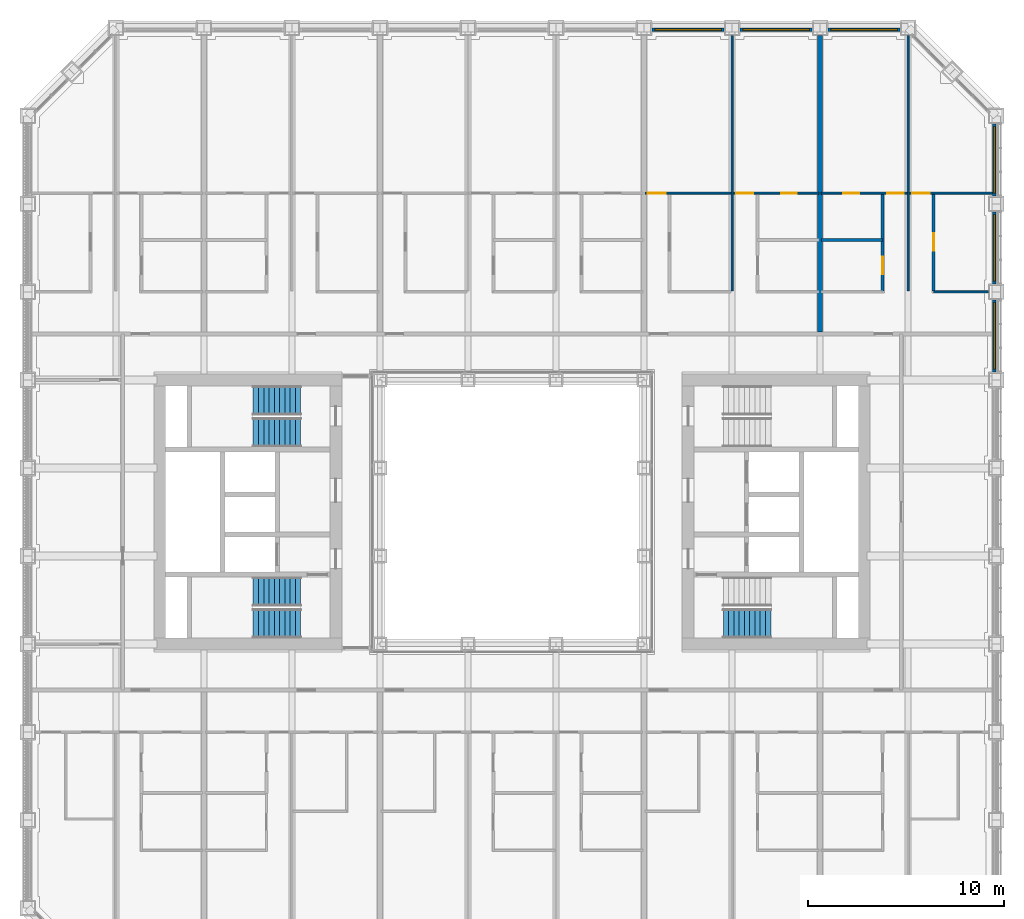
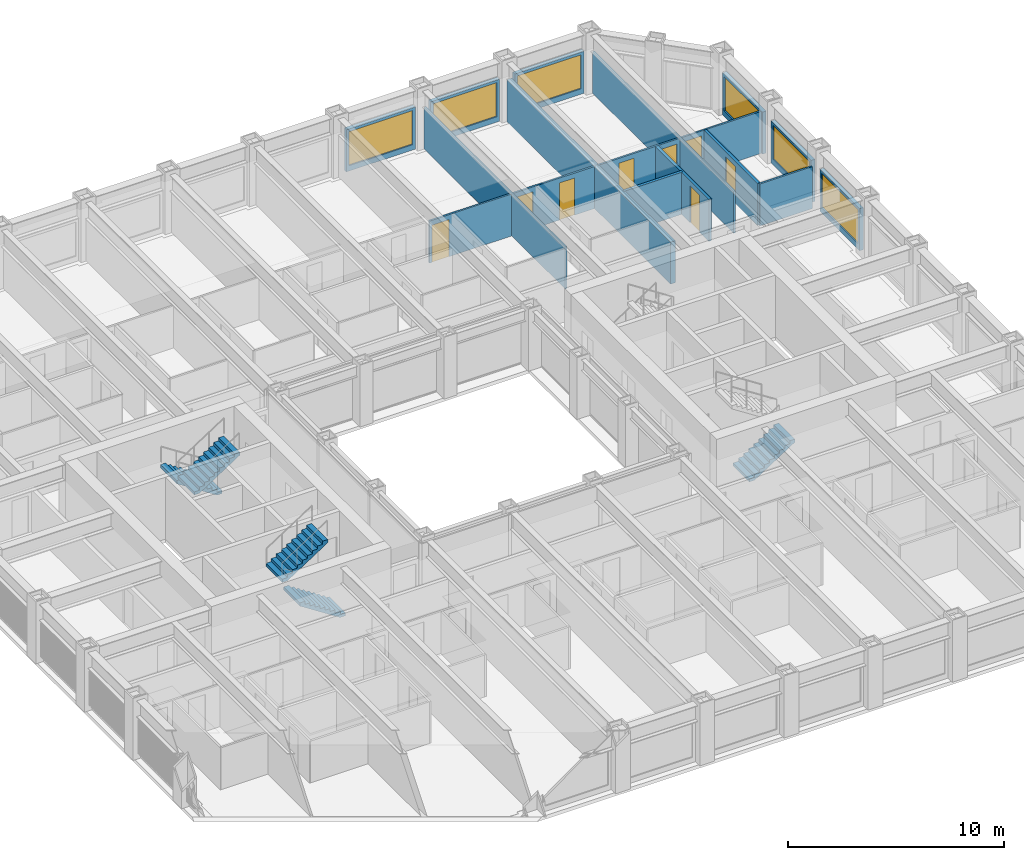
# One storey, part 15 of 21: 17 walls, 8 doors, 6 windows, 5 stair flights, 14 openings, 3 elements without a shape of their own.
"""IFC4 building model written with IfcOpenShell, lengths in metres."""

from ifc_helpers import new_model, si_unit, direction, frame, frame_2d, origin, place, context, subcontext, project, spatial, polyline, rectangle, outline, extrude, material, layer, layer_set, type_object, element, fill, aggregate, save


model = new_model("IFC4")

# Units and contexts
model_context = context("Model", 3, precision=1e-05, world=origin(), true_north=direction((0.0, 1.0)))
body_context = subcontext(model_context, "Body", "Model", "MODEL_VIEW")
ifc_project = project(units=[si_unit("LENGTHUNIT", "METRE"), si_unit("AREAUNIT", "SQUARE_METRE"), si_unit("VOLUMEUNIT", "CUBIC_METRE"), si_unit("PLANEANGLEUNIT", "RADIAN"), si_unit("MASSUNIT", "GRAM", prefix="KILO")], contexts=[model_context])

# Site, building, storey
site_placement = place(None, origin())
site = spatial("IfcSite", under=ifc_project, at=site_placement, CompositionType="ELEMENT")
building_placement = place(site_placement, origin())
building = spatial("IfcBuilding", under=site, at=building_placement, Name="Msasa Ring Tower", CompositionType="ELEMENT")
storey_placement = place(building_placement, frame((0.0, 0.0, 51.0)))
storey = spatial("IfcBuildingStorey", under=building, at=storey_placement, Name="L12", CompositionType="ELEMENT", Elevation=51.0)

# Wall, opening, window
ifc_material_1 = material(Name="Terracotta rainscreen on blockwork", Category="masonry")
ifc_layer_1 = layer(ifc_material_1, 0.199951171875)
ifc_layer_set_1 = layer_set([ifc_layer_1], Name="FW1 TERRACOTTA-LINED INFILL BAY WALL 200")
wall_type_1 = type_object("IfcWallType", Name="FW1 TERRACOTTA-LINED INFILL BAY WALL 200", PredefinedType="SOLIDWALL", material=ifc_layer_set_1)
wall_1_placement = place(storey_placement, frame((24.64990234375, 7.155029296875, 0.0), z_axis=(0.0, 0.0, 1.0), x_axis=(0.0, 1.0, 0.0)))
wall_1 = element("IfcWall", 1, at=wall_1_placement, inside=storey, type_object=wall_type_1, Name="Infill bay wall E L12 17", PredefinedType="SOLIDWALL", context=body_context, shape_type="SweptSolid", body=[
    extrude(rectangle(XDim=3.68994140625, YDim=0.199951171875, at=frame_2d((1.844970703125, 0.0))), origin(), (0.0, 0.0, 1.0), 2.37890625),
])
opening_1_placement = place(wall_1_placement, frame((0.14501953125, 0.0, 0.300048828125)))
opening_1 = element("IfcOpeningElement", 2, at=opening_1_placement, cuts=wall_1, Name="Opening WN1", PredefinedType="OPENING", context=body_context, shape_type="SweptSolid", body=[
    extrude(rectangle(XDim=3.39990234375, YDim=1.928955078125, at=frame_2d((1.699951171875, 0.96435546875))), frame((0.0, 0.10986328125, 0.0), z_axis=(0.0, -1.0, 0.0), x_axis=(1.0, 0.0, 0.0)), (0.0, 0.0, 1.0), 0.219970703125),
])
ifc_material_2 = material(Name="Aluminium frame with clear glass", Category="aluminium")
window_type = type_object("IfcWindowType", Name="WN1 RESIDENCE WINDOW 3400x1929", PartitioningType="SINGLE_PANEL", PredefinedType="WINDOW", material=ifc_material_2)
window_1_placement = place(opening_1_placement, origin())
window_1 = element("IfcWindow", 3, at=window_1_placement, inside=storey, type_object=window_type, Name="Window E L12 17", OverallHeight=1.928955078125, OverallWidth=3.39990234375, PartitioningType="SINGLE_PANEL", PredefinedType="WINDOW", context=body_context, shape_type="SweptSolid", body=[
    extrude(rectangle(XDim=3.39990234375, YDim=1.928955078125, at=frame_2d((1.699951171875, 0.96435546875))), frame((0.0, 0.030029296875, 0.0), z_axis=(0.0, -1.0, 0.0), x_axis=(1.0, 0.0, 0.0)), (0.0, 0.0, 1.0), 0.06005859375),
])
fill(opening_1, window_1)

wall_2_placement = place(storey_placement, frame((24.64990234375, 11.655029296875, 0.0), z_axis=(0.0, 0.0, 1.0), x_axis=(0.0, 1.0, 0.0)))
wall_2 = element("IfcWall", 4, at=wall_2_placement, inside=storey, type_object=wall_type_1, Name="Infill bay wall E L12 18", PredefinedType="SOLIDWALL", context=body_context, shape_type="SweptSolid", body=[
    extrude(rectangle(XDim=3.68994140625, YDim=0.199951171875, at=frame_2d((1.844970703125, 0.0))), origin(), (0.0, 0.0, 1.0), 2.37890625),
])
opening_2_placement = place(wall_2_placement, frame((0.14501953125, 0.0, 0.300048828125)))
opening_2 = element("IfcOpeningElement", 5, at=opening_2_placement, cuts=wall_2, Name="Opening WN1", PredefinedType="OPENING", context=body_context, shape_type="SweptSolid", body=[
    extrude(rectangle(XDim=3.39990234375, YDim=1.928955078125, at=frame_2d((1.699951171875, 0.96435546875))), frame((0.0, 0.10986328125, 0.0), z_axis=(0.0, -1.0, 0.0), x_axis=(1.0, 0.0, 0.0)), (0.0, 0.0, 1.0), 0.219970703125),
])
window_2_placement = place(opening_2_placement, origin())
window_2 = element("IfcWindow", 6, at=window_2_placement, inside=storey, type_object=window_type, Name="Window E L12 18", OverallHeight=1.928955078125, OverallWidth=3.39990234375, PartitioningType="SINGLE_PANEL", PredefinedType="WINDOW", context=body_context, shape_type="SweptSolid", body=[
    extrude(rectangle(XDim=3.39990234375, YDim=1.928955078125, at=frame_2d((1.699951171875, 0.96435546875))), frame((0.0, 0.030029296875, 0.0), z_axis=(0.0, -1.0, 0.0), x_axis=(1.0, 0.0, 0.0)), (0.0, 0.0, 1.0), 0.06005859375),
])
fill(opening_2, window_2)

wall_3_placement = place(storey_placement, frame((24.64990234375, 16.155029296875, 0.0), z_axis=(0.0, 0.0, 1.0), x_axis=(0.0, 1.0, 0.0)))
wall_3 = element("IfcWall", 7, at=wall_3_placement, inside=storey, type_object=wall_type_1, Name="Infill bay wall E L12 19", PredefinedType="SOLIDWALL", context=body_context, shape_type="SweptSolid", body=[
    extrude(rectangle(XDim=3.68994140625, YDim=0.199951171875, at=frame_2d((1.844970703125, 0.0))), origin(), (0.0, 0.0, 1.0), 2.37890625),
])
opening_3_placement = place(wall_3_placement, frame((0.14501953125, 0.0, 0.300048828125)))
opening_3 = element("IfcOpeningElement", 8, at=opening_3_placement, cuts=wall_3, Name="Opening WN1", PredefinedType="OPENING", context=body_context, shape_type="SweptSolid", body=[
    extrude(rectangle(XDim=3.39990234375, YDim=1.928955078125, at=frame_2d((1.699951171875, 0.96435546875))), frame((0.0, 0.10986328125, 0.0), z_axis=(0.0, -1.0, 0.0), x_axis=(1.0, 0.0, 0.0)), (0.0, 0.0, 1.0), 0.219970703125),
])
window_3_placement = place(opening_3_placement, origin())
window_3 = element("IfcWindow", 9, at=window_3_placement, inside=storey, type_object=window_type, Name="Window E L12 19", OverallHeight=1.928955078125, OverallWidth=3.39990234375, PartitioningType="SINGLE_PANEL", PredefinedType="WINDOW", context=body_context, shape_type="SweptSolid", body=[
    extrude(rectangle(XDim=3.39990234375, YDim=1.928955078125, at=frame_2d((1.699951171875, 0.96435546875))), frame((0.0, 0.030029296875, 0.0), z_axis=(0.0, -1.0, 0.0), x_axis=(1.0, 0.0, 0.0)), (0.0, 0.0, 1.0), 0.06005859375),
])
fill(opening_3, window_3)

wall_4_placement = place(storey_placement, frame((7.155029296875, 24.64990234375, 0.0), z_axis=(0.0, 0.0, 1.0), x_axis=(1.0, 0.0, 0.0)))
wall_4 = element("IfcWall", 10, at=wall_4_placement, inside=storey, type_object=wall_type_1, Name="Infill bay wall N L12 28", PredefinedType="SOLIDWALL", context=body_context, shape_type="SweptSolid", body=[
    extrude(rectangle(XDim=3.68994140625, YDim=0.199951171875, at=frame_2d((1.844970703125, 0.0))), origin(), (0.0, 0.0, 1.0), 2.37890625),
])
opening_4_placement = place(wall_4_placement, frame((0.14501953125, 0.0, 0.300048828125)))
opening_4 = element("IfcOpeningElement", 11, at=opening_4_placement, cuts=wall_4, Name="Opening WN1", PredefinedType="OPENING", context=body_context, shape_type="SweptSolid", body=[
    extrude(rectangle(XDim=3.39990234375, YDim=1.928955078125, at=frame_2d((1.699951171875, 0.96435546875))), frame((0.0, 0.10986328125, 0.0), z_axis=(0.0, -1.0, 0.0), x_axis=(1.0, 0.0, 0.0)), (0.0, 0.0, 1.0), 0.219970703125),
])
window_4_placement = place(opening_4_placement, origin())
window_4 = element("IfcWindow", 12, at=window_4_placement, inside=storey, type_object=window_type, Name="Window N L12 28", OverallHeight=1.928955078125, OverallWidth=3.39990234375, PartitioningType="SINGLE_PANEL", PredefinedType="WINDOW", context=body_context, shape_type="SweptSolid", body=[
    extrude(rectangle(XDim=3.39990234375, YDim=1.928955078125, at=frame_2d((1.699951171875, 0.96435546875))), frame((0.0, 0.030029296875, 0.0), z_axis=(0.0, -1.0, 0.0), x_axis=(1.0, 0.0, 0.0)), (0.0, 0.0, 1.0), 0.06005859375),
])
fill(opening_4, window_4)

wall_5_placement = place(storey_placement, frame((11.655029296875, 24.64990234375, 0.0), z_axis=(0.0, 0.0, 1.0), x_axis=(1.0, 0.0, 0.0)))
wall_5 = element("IfcWall", 13, at=wall_5_placement, inside=storey, type_object=wall_type_1, Name="Infill bay wall N L12 29", PredefinedType="SOLIDWALL", context=body_context, shape_type="SweptSolid", body=[
    extrude(rectangle(XDim=3.68994140625, YDim=0.199951171875, at=frame_2d((1.844970703125, 0.0))), origin(), (0.0, 0.0, 1.0), 2.37890625),
])
opening_5_placement = place(wall_5_placement, frame((0.14501953125, 0.0, 0.300048828125)))
opening_5 = element("IfcOpeningElement", 14, at=opening_5_placement, cuts=wall_5, Name="Opening WN1", PredefinedType="OPENING", context=body_context, shape_type="SweptSolid", body=[
    extrude(rectangle(XDim=3.39990234375, YDim=1.928955078125, at=frame_2d((1.699951171875, 0.96435546875))), frame((0.0, 0.10986328125, 0.0), z_axis=(0.0, -1.0, 0.0), x_axis=(1.0, 0.0, 0.0)), (0.0, 0.0, 1.0), 0.219970703125),
])
window_5_placement = place(opening_5_placement, origin())
window_5 = element("IfcWindow", 15, at=window_5_placement, inside=storey, type_object=window_type, Name="Window N L12 29", OverallHeight=1.928955078125, OverallWidth=3.39990234375, PartitioningType="SINGLE_PANEL", PredefinedType="WINDOW", context=body_context, shape_type="SweptSolid", body=[
    extrude(rectangle(XDim=3.39990234375, YDim=1.928955078125, at=frame_2d((1.699951171875, 0.96435546875))), frame((0.0, 0.030029296875, 0.0), z_axis=(0.0, -1.0, 0.0), x_axis=(1.0, 0.0, 0.0)), (0.0, 0.0, 1.0), 0.06005859375),
])
fill(opening_5, window_5)

wall_6_placement = place(storey_placement, frame((16.155029296875, 24.64990234375, 0.0), z_axis=(0.0, 0.0, 1.0), x_axis=(1.0, 0.0, 0.0)))
wall_6 = element("IfcWall", 16, at=wall_6_placement, inside=storey, type_object=wall_type_1, Name="Infill bay wall N L12 30", PredefinedType="SOLIDWALL", context=body_context, shape_type="SweptSolid", body=[
    extrude(rectangle(XDim=3.68994140625, YDim=0.199951171875, at=frame_2d((1.844970703125, 0.0))), origin(), (0.0, 0.0, 1.0), 2.37890625),
])
opening_6_placement = place(wall_6_placement, frame((0.14501953125, 0.0, 0.300048828125)))
opening_6 = element("IfcOpeningElement", 17, at=opening_6_placement, cuts=wall_6, Name="Opening WN1", PredefinedType="OPENING", context=body_context, shape_type="SweptSolid", body=[
    extrude(rectangle(XDim=3.39990234375, YDim=1.928955078125, at=frame_2d((1.699951171875, 0.96435546875))), frame((0.0, 0.10986328125, 0.0), z_axis=(0.0, -1.0, 0.0), x_axis=(1.0, 0.0, 0.0)), (0.0, 0.0, 1.0), 0.219970703125),
])
window_6_placement = place(opening_6_placement, origin())
window_6 = element("IfcWindow", 18, at=window_6_placement, inside=storey, type_object=window_type, Name="Window N L12 30", OverallHeight=1.928955078125, OverallWidth=3.39990234375, PartitioningType="SINGLE_PANEL", PredefinedType="WINDOW", context=body_context, shape_type="SweptSolid", body=[
    extrude(rectangle(XDim=3.39990234375, YDim=1.928955078125, at=frame_2d((1.699951171875, 0.96435546875))), frame((0.0, 0.030029296875, 0.0), z_axis=(0.0, -1.0, 0.0), x_axis=(1.0, 0.0, 0.0)), (0.0, 0.0, 1.0), 0.06005859375),
])
fill(opening_6, window_6)

# Wall, opening, door
ifc_material_3 = material(Name="Gypsum board on steel studs", Category="steel")
ifc_layer_2 = layer(ifc_material_3, 0.10009765625)
ifc_layer_set_2 = layer_set([ifc_layer_2], Name="PT2 STUD PARTITION 100")
wall_type_2 = type_object("IfcWallType", Name="PT2 STUD PARTITION 100", PredefinedType="PARTITIONING", material=ifc_layer_set_2)
wall_7_placement = place(storey_placement, frame((6.81005859375, 16.300048828125, 0.0), z_axis=(0.0, 0.0, 1.0), x_axis=(1.0, 0.0, 0.0)))
wall_7 = element("IfcWall", 19, at=wall_7_placement, inside=storey, type_object=wall_type_2, Name="Partition L12-UN03SY0", PredefinedType="PARTITIONING", context=body_context, shape_type="SweptSolid", body=[
    extrude(rectangle(XDim=4.389892578125, YDim=0.10009765625, at=frame_2d((2.19482421875, 0.0))), origin(), (0.0, 0.0, 1.0), 2.373291015625),
])
opening_7_placement = place(wall_7_placement, frame((0.139892578125, 0.0, 0.0)))
opening_7 = element("IfcOpeningElement", 20, at=opening_7_placement, cuts=wall_7, Name="Opening RC-012", PredefinedType="OPENING", context=body_context, shape_type="SweptSolid", body=[
    extrude(rectangle(XDim=0.89990234375, YDim=2.10009765625, at=frame_2d((0.449951171875, 1.050048828125))), frame((0.0, 0.06005859375, 0.0), z_axis=(0.0, -1.0, 0.0), x_axis=(1.0, 0.0, 0.0)), (0.0, 0.0, 1.0), 0.1201171875),
])
ifc_material_4 = material(Name="Timber door leaf in a steel frame", Category="steel")
door_type_1 = type_object("IfcDoorType", Name="D22 INTERNAL HALL DOOR 900x2100", OperationType="SINGLE_SWING_LEFT", PredefinedType="DOOR", material=ifc_material_4)
door_1_placement = place(opening_7_placement, origin())
door_1 = element("IfcDoor", 21, at=door_1_placement, inside=storey, type_object=door_type_1, Name="Door L12-UN03L", OperationType="SINGLE_SWING_LEFT", OverallHeight=2.10009765625, OverallWidth=0.89990234375, PredefinedType="DOOR", context=body_context, shape_type="SweptSolid", body=[
    extrude(rectangle(XDim=0.89990234375, YDim=2.10009765625, at=frame_2d((0.449951171875, 1.050048828125))), frame((0.0, 0.02490234375, 0.0), z_axis=(0.0, -1.0, 0.0), x_axis=(1.0, 0.0, 0.0)), (0.0, 0.0, 1.0), 0.050048828125),
])
fill(opening_7, door_1)

# Wall
wall_8_placement = place(storey_placement, frame((11.25, 11.300048828125, 0.0), z_axis=(0.0, 0.0, 1.0), x_axis=(0.0, 1.0, 0.0)))
element("IfcWall", 22, at=wall_8_placement, inside=storey, type_object=wall_type_2, Name="Partition L12-UN03P1", PredefinedType="PARTITIONING", context=body_context, shape_type="SweptSolid", body=[
    extrude(rectangle(XDim=13.050048828125, YDim=0.10009765625, at=frame_2d((6.52490234375, 0.0))), origin(), (0.0, 0.0, 1.0), 2.373291015625),
])

# Wall, openings, doors
wall_9_placement = place(storey_placement, frame((11.300048828125, 16.300048828125, 0.0), z_axis=(0.0, 0.0, 1.0), x_axis=(1.0, 0.0, 0.0)))
wall_9 = element("IfcWall", 23, at=wall_9_placement, inside=storey, type_object=wall_type_2, Name="Partition L12-UN03SY1", PredefinedType="PARTITIONING", context=body_context, shape_type="SweptSolid", body=[
    extrude(rectangle(XDim=4.389892578125, YDim=0.10009765625, at=frame_2d((2.19482421875, 0.0))), origin(), (0.0, 0.0, 1.0), 2.373291015625),
])
opening_8_placement = place(wall_9_placement, frame((0.175048828125, 0.0, 0.0)))
opening_8 = element("IfcOpeningElement", 24, at=opening_8_placement, cuts=wall_9, Name="Opening RC-013", PredefinedType="OPENING", context=body_context, shape_type="SweptSolid", body=[
    extrude(rectangle(XDim=0.85009765625, YDim=2.10009765625, at=frame_2d((0.425048828125, 1.050048828125))), frame((0.0, 0.06005859375, 0.0), z_axis=(0.0, -1.0, 0.0), x_axis=(1.0, 0.0, 0.0)), (0.0, 0.0, 1.0), 0.1201171875),
])
opening_9_placement = place(wall_9_placement, frame((2.4599609375, 0.0, 0.0)))
opening_9 = element("IfcOpeningElement", 25, at=opening_9_placement, cuts=wall_9, Name="Opening RC-014", PredefinedType="OPENING", context=body_context, shape_type="SweptSolid", body=[
    extrude(rectangle(XDim=0.800048828125, YDim=2.10009765625, at=frame_2d((0.39990234375, 1.050048828125))), frame((0.0, 0.06005859375, 0.0), z_axis=(0.0, -1.0, 0.0), x_axis=(1.0, 0.0, 0.0)), (0.0, 0.0, 1.0), 0.1201171875),
])
ifc_material_5 = material(Name="Timber door leaf in a steel frame", Category="steel")
door_type_2 = type_object("IfcDoorType", Name="D14 BEDROOM DOOR 850x2100", OperationType="SINGLE_SWING_LEFT", PredefinedType="DOOR", material=ifc_material_5)
door_2_placement = place(opening_8_placement, origin())
door_2 = element("IfcDoor", 26, at=door_2_placement, inside=storey, type_object=door_type_2, Name="Door L12-UN03R1", OperationType="SINGLE_SWING_LEFT", OverallHeight=2.10009765625, OverallWidth=0.85009765625, PredefinedType="DOOR", context=body_context, shape_type="SweptSolid", body=[
    extrude(rectangle(XDim=0.85009765625, YDim=2.10009765625, at=frame_2d((0.425048828125, 1.050048828125))), frame((0.0, 0.02490234375, 0.0), z_axis=(0.0, -1.0, 0.0), x_axis=(1.0, 0.0, 0.0)), (0.0, 0.0, 1.0), 0.050048828125),
])
fill(opening_8, door_2)
ifc_material_6 = material(Name="Timber door leaf in a steel frame", Category="steel")
door_type_3 = type_object("IfcDoorType", Name="D60 DRESSING ROOM DOOR 800x2100", OperationType="SINGLE_SWING_LEFT", PredefinedType="DOOR", material=ifc_material_6)
door_3_placement = place(opening_9_placement, origin())
door_3 = element("IfcDoor", 27, at=door_3_placement, inside=storey, type_object=door_type_3, Name="Door L12-UN03W1", OperationType="SINGLE_SWING_RIGHT", OverallHeight=2.10009765625, OverallWidth=0.800048828125, PredefinedType="DOOR", context=body_context, shape_type="SweptSolid", body=[
    extrude(rectangle(XDim=0.800048828125, YDim=2.10009765625, at=frame_2d((0.39990234375, 1.050048828125))), frame((0.0, 0.02490234375, 0.0), z_axis=(0.0, -1.0, 0.0), x_axis=(1.0, 0.0, 0.0)), (0.0, 0.0, 1.0), 0.050048828125),
])
fill(opening_9, door_3)

# Wall
wall_10_placement = place(storey_placement, frame((21.550048828125, 11.25, 0.0), z_axis=(0.0, 0.0, 1.0), x_axis=(1.0, 0.0, 0.0)))
element("IfcWall", 28, at=wall_10_placement, inside=storey, type_object=wall_type_2, Name="Partition L12-UN04HY0", PredefinedType="PARTITIONING", context=body_context, shape_type="SweptSolid", body=[
    extrude(rectangle(XDim=2.800048828125, YDim=0.10009765625, at=frame_2d((1.39990234375, 0.0))), origin(), (0.0, 0.0, 1.0), 2.373291015625),
])

# Wall, opening, door
wall_11_placement = place(storey_placement, frame((20.300048828125, 16.300048828125, 0.0), z_axis=(0.0, 0.0, 1.0), x_axis=(1.0, 0.0, 0.0)))
wall_11 = element("IfcWall", 29, at=wall_11_placement, inside=storey, type_object=wall_type_2, Name="Partition L12-UN04SY0", PredefinedType="PARTITIONING", context=body_context, shape_type="SweptSolid", body=[
    extrude(rectangle(XDim=4.25, YDim=0.10009765625, at=frame_2d((2.125, 0.0))), origin(), (0.0, 0.0, 1.0), 2.373291015625),
])
opening_10_placement = place(wall_11_placement, frame((0.14990234375, 0.0, 0.0)))
opening_10 = element("IfcOpeningElement", 30, at=opening_10_placement, cuts=wall_11, Name="Opening RC-017", PredefinedType="OPENING", context=body_context, shape_type="SweptSolid", body=[
    extrude(rectangle(XDim=0.89990234375, YDim=2.10009765625, at=frame_2d((0.449951171875, 1.050048828125))), frame((0.0, 0.06005859375, 0.0), z_axis=(0.0, -1.0, 0.0), x_axis=(1.0, 0.0, 0.0)), (0.0, 0.0, 1.0), 0.1201171875),
])
door_4_placement = place(opening_10_placement, origin())
door_4 = element("IfcDoor", 31, at=door_4_placement, inside=storey, type_object=door_type_1, Name="Door L12-UN04L", OperationType="SINGLE_SWING_LEFT", OverallHeight=2.10009765625, OverallWidth=0.89990234375, PredefinedType="DOOR", context=body_context, shape_type="SweptSolid", body=[
    extrude(rectangle(XDim=0.89990234375, YDim=2.10009765625, at=frame_2d((0.449951171875, 1.050048828125))), frame((0.0, 0.02490234375, 0.0), z_axis=(0.0, -1.0, 0.0), x_axis=(1.0, 0.0, 0.0)), (0.0, 0.0, 1.0), 0.050048828125),
])
fill(opening_10, door_4)

# Wall
wall_12_placement = place(storey_placement, frame((20.25, 11.300048828125, 0.0), z_axis=(0.0, 0.0, 1.0), x_axis=(0.0, 1.0, 0.0)))
element("IfcWall", 32, at=wall_12_placement, inside=storey, type_object=wall_type_2, Name="Partition L12-UN04P1", PredefinedType="PARTITIONING", context=body_context, shape_type="SweptSolid", body=[
    extrude(rectangle(XDim=13.050048828125, YDim=0.10009765625, at=frame_2d((6.52490234375, 0.0))), origin(), (0.0, 0.0, 1.0), 2.373291015625),
])

# Wall, openings, doors
wall_13_placement = place(storey_placement, frame((15.81005859375, 16.300048828125, 0.0), z_axis=(0.0, 0.0, 1.0), x_axis=(1.0, 0.0, 0.0)))
wall_13 = element("IfcWall", 33, at=wall_13_placement, inside=storey, type_object=wall_type_2, Name="Partition L12-UN04SY1", PredefinedType="PARTITIONING", context=body_context, shape_type="SweptSolid", body=[
    extrude(rectangle(XDim=4.389892578125, YDim=0.10009765625, at=frame_2d((2.19482421875, 0.0))), origin(), (0.0, 0.0, 1.0), 2.373291015625),
])
opening_11_placement = place(wall_13_placement, frame((3.364990234375, 0.0, 0.0)))
opening_11 = element("IfcOpeningElement", 34, at=opening_11_placement, cuts=wall_13, Name="Opening RC-016", PredefinedType="OPENING", context=body_context, shape_type="SweptSolid", body=[
    extrude(rectangle(XDim=0.85009765625, YDim=2.10009765625, at=frame_2d((0.425048828125, 1.050048828125))), frame((0.0, 0.06005859375, 0.0), z_axis=(0.0, -1.0, 0.0), x_axis=(1.0, 0.0, 0.0)), (0.0, 0.0, 1.0), 0.1201171875),
])
opening_12_placement = place(wall_13_placement, frame((1.1298828125, 0.0, 0.0)))
opening_12 = element("IfcOpeningElement", 35, at=opening_12_placement, cuts=wall_13, Name="Opening RC-015", PredefinedType="OPENING", context=body_context, shape_type="SweptSolid", body=[
    extrude(rectangle(XDim=0.800048828125, YDim=2.10009765625, at=frame_2d((0.39990234375, 1.050048828125))), frame((0.0, 0.06005859375, 0.0), z_axis=(0.0, -1.0, 0.0), x_axis=(1.0, 0.0, 0.0)), (0.0, 0.0, 1.0), 0.1201171875),
])
door_5_placement = place(opening_11_placement, origin())
door_5 = element("IfcDoor", 36, at=door_5_placement, inside=storey, type_object=door_type_2, Name="Door L12-UN04R1", OperationType="SINGLE_SWING_RIGHT", OverallHeight=2.10009765625, OverallWidth=0.85009765625, PredefinedType="DOOR", context=body_context, shape_type="SweptSolid", body=[
    extrude(rectangle(XDim=0.85009765625, YDim=2.10009765625, at=frame_2d((0.425048828125, 1.050048828125))), frame((0.0, 0.02490234375, 0.0), z_axis=(0.0, -1.0, 0.0), x_axis=(1.0, 0.0, 0.0)), (0.0, 0.0, 1.0), 0.050048828125),
])
fill(opening_11, door_5)
door_6_placement = place(opening_12_placement, origin())
door_6 = element("IfcDoor", 37, at=door_6_placement, inside=storey, type_object=door_type_3, Name="Door L12-UN04W1", OperationType="SINGLE_SWING_LEFT", OverallHeight=2.10009765625, OverallWidth=0.800048828125, PredefinedType="DOOR", context=body_context, shape_type="SweptSolid", body=[
    extrude(rectangle(XDim=0.800048828125, YDim=2.10009765625, at=frame_2d((0.39990234375, 1.050048828125))), frame((0.0, 0.02490234375, 0.0), z_axis=(0.0, -1.0, 0.0), x_axis=(1.0, 0.0, 0.0)), (0.0, 0.0, 1.0), 0.050048828125),
])
fill(opening_12, door_6)

# Wall
ifc_material_7 = material(Name="Dense concrete blockwork, plastered both faces", Category="masonry")
ifc_layer_3 = layer(ifc_material_7, 0.25)
ifc_layer_set_3 = layer_set([ifc_layer_3], Name="PT3 APARTMENT SEPARATING WALL 250")
wall_type_3 = type_object("IfcWallType", Name="PT3 APARTMENT SEPARATING WALL 250", PredefinedType="PARTITIONING", material=ifc_layer_set_3)
wall_14_placement = place(storey_placement, frame((15.75, 9.199951171875, 0.0), z_axis=(0.0, 0.0, 1.0), x_axis=(0.0, 1.0, 0.0)))
element("IfcWall", 38, at=wall_14_placement, inside=storey, type_object=wall_type_3, Name="Party wall L12-PWN+15.75", PredefinedType="PARTITIONING", context=body_context, shape_type="SweptSolid", body=[
    extrude(rectangle(XDim=15.150146484375, YDim=0.25, at=frame_2d((7.5751953125, 0.0))), origin(), (0.0, 0.0, 1.0), 2.373291015625),
])

# Wall, opening, door
ifc_material_8 = material(Name="Moisture-resistant board on steel studs with a concealed cistern and pipe void, tiled", Category="steel")
ifc_layer_4 = layer(ifc_material_8, 0.14990234375)
ifc_layer_set_4 = layer_set([ifc_layer_4], Name="PT4 BATHROOM WET WALL 150")
wall_type_4 = type_object("IfcWallType", Name="PT4 BATHROOM WET WALL 150", PredefinedType="PARTITIONING", material=ifc_layer_set_4)
wall_15_placement = place(storey_placement, frame((21.550048828125, 11.300048828125, 0.0), z_axis=(0.0, 0.0, 1.0), x_axis=(0.0, 1.0, 0.0)))
wall_15 = element("IfcWall", 39, at=wall_15_placement, inside=storey, type_object=wall_type_4, Name="Partition L12-UN04SX0", PredefinedType="PARTITIONING", context=body_context, shape_type="SweptSolid", body=[
    extrude(rectangle(XDim=5.0, YDim=0.14990234375, at=frame_2d((2.5, 0.0))), origin(), (0.0, 0.0, 1.0), 2.373291015625),
])
opening_13_placement = place(wall_15_placement, frame((2.050048828125, 0.0, 0.0)))
opening_13 = element("IfcOpeningElement", 40, at=opening_13_placement, cuts=wall_15, Name="Opening RC-022", PredefinedType="OPENING", context=body_context, shape_type="SweptSolid", body=[
    extrude(rectangle(XDim=0.89990234375, YDim=2.10009765625, at=frame_2d((0.449951171875, 1.050048828125))), frame((0.0, 0.0849609375, 0.0), z_axis=(0.0, -1.0, 0.0), x_axis=(1.0, 0.0, 0.0)), (0.0, 0.0, 1.0), 0.169921875),
])
door_7_placement = place(opening_13_placement, origin())
door_7 = element("IfcDoor", 41, at=door_7_placement, inside=storey, type_object=door_type_1, Name="Door L12-UN04K", OperationType="SINGLE_SWING_LEFT", OverallHeight=2.10009765625, OverallWidth=0.89990234375, PredefinedType="DOOR", context=body_context, shape_type="SweptSolid", body=[
    extrude(rectangle(XDim=0.89990234375, YDim=2.10009765625, at=frame_2d((0.449951171875, 1.050048828125))), frame((0.0, 0.02490234375, 0.0), z_axis=(0.0, -1.0, 0.0), x_axis=(1.0, 0.0, 0.0)), (0.0, 0.0, 1.0), 0.050048828125),
])
fill(opening_13, door_7)

wall_16_placement = place(storey_placement, frame((18.949951171875, 11.300048828125, 0.0), z_axis=(0.0, 0.0, 1.0), x_axis=(0.0, 1.0, 0.0)))
wall_16 = element("IfcWall", 42, at=wall_16_placement, inside=storey, type_object=wall_type_4, Name="Partition L12-UN04SX1", PredefinedType="PARTITIONING", context=body_context, shape_type="SweptSolid", body=[
    extrude(rectangle(XDim=5.0, YDim=0.14990234375, at=frame_2d((2.5, 0.0))), origin(), (0.0, 0.0, 1.0), 2.373291015625),
])
opening_14_placement = place(wall_16_placement, frame((0.85009765625, 0.0, 0.0)))
opening_14 = element("IfcOpeningElement", 43, at=opening_14_placement, cuts=wall_16, Name="Opening RC-028", PredefinedType="OPENING", context=body_context, shape_type="SweptSolid", body=[
    extrude(rectangle(XDim=0.89990234375, YDim=2.10009765625, at=frame_2d((0.449951171875, 1.050048828125))), frame((0.0, 0.0849609375, 0.0), z_axis=(0.0, -1.0, 0.0), x_axis=(1.0, 0.0, 0.0)), (0.0, 0.0, 1.0), 0.169921875),
])
ifc_material_9 = material(Name="Timber door leaf in a steel frame", Category="steel")
door_type_4 = type_object("IfcDoorType", Name="D3 BATHROOM DOOR 900x2100", OperationType="SINGLE_SWING_LEFT", PredefinedType="DOOR", material=ifc_material_9)
door_8_placement = place(opening_14_placement, origin())
door_8 = element("IfcDoor", 44, at=door_8_placement, inside=storey, type_object=door_type_4, Name="Door L12-UN04B1", OperationType="SINGLE_SWING_LEFT", OverallHeight=2.10009765625, OverallWidth=0.89990234375, PredefinedType="DOOR", context=body_context, shape_type="SweptSolid", body=[
    extrude(rectangle(XDim=0.89990234375, YDim=2.10009765625, at=frame_2d((0.449951171875, 1.050048828125))), frame((0.0, 0.02490234375, 0.0), z_axis=(0.0, -1.0, 0.0), x_axis=(1.0, 0.0, 0.0)), (0.0, 0.0, 1.0), 0.050048828125),
])
fill(opening_14, door_8)

# Wall
wall_17_placement = place(storey_placement, frame((15.81005859375, 13.89990234375, 0.0), z_axis=(0.0, 0.0, 1.0), x_axis=(1.0, 0.0, 0.0)))
element("IfcWall", 45, at=wall_17_placement, inside=storey, type_object=wall_type_4, Name="Partition L12-UN04SB1", PredefinedType="PARTITIONING", context=body_context, shape_type="SweptSolid", body=[
    extrude(rectangle(XDim=3.139892578125, YDim=0.14990234375, at=frame_2d((1.56982421875, 0.0))), origin(), (0.0, 0.0, 1.0), 2.373291015625),
])

# Stair, stair flight
ifc_material_10 = material(Name="Concrete C40/50", Category="concrete")
stair_type = type_object("IfcStairType", Name="STC CORE STAIR 20 RISERS 175", PredefinedType="HALF_TURN_STAIR", material=ifc_material_10)
stair_1_placement = place(storey_placement, origin())
stair_1 = element("IfcStair", 46, at=stair_1_placement, inside=storey, type_object=stair_type, Name="Core stair SEA L12", PredefinedType="HALF_TURN_STAIR")
ifc_material_11 = material(Name="Concrete C40/50", Category="concrete")
stair_flight_type = type_object("IfcStairFlightType", Name="ST12 CORE STAIR FLIGHT 1500 10 RISERS 175", PredefinedType="STRAIGHT", material=ifc_material_11)
stair_flight_1_placement = place(storey_placement, frame((10.800048828125, -5.699951171875, 0.0), z_axis=(0.0, 0.0, 1.0), x_axis=(1.0, 0.0, 0.0)))
stair_flight_1 = element("IfcStairFlight", 47, at=stair_flight_1_placement, type_object=stair_flight_type, Name="SEA flight 1", NumberOfRisers=10, NumberOfTreads=9, PredefinedType="STRAIGHT", RiserHeight=0.175, TreadLength=0.27, context=body_context, shape_type="SweptSolid", body=[
    extrude(outline(polyline([(0.0, 0.0), (0.0, 0.175048828125), (0.27001953125, 0.175048828125), (0.27001953125, 0.35009765625), (0.5400390625, 0.35009765625), (0.5400390625, 0.52490234375), (0.81005859375, 0.52490234375), (0.81005859375, 0.699951171875), (1.080078125, 0.699951171875), (1.080078125, 0.875), (1.35009765625, 0.875), (1.35009765625, 1.050048828125), (1.6201171875, 1.050048828125), (1.6201171875, 1.22509765625), (1.889892578125, 1.22509765625), (1.889892578125, 1.39990234375), (2.159912109375, 1.39990234375), (2.159912109375, 1.574951171875), (2.429931640625, 1.574951171875), (2.429931640625, 1.75), (2.429931640625, 1.396484375), (0.275634765625, 0.0), (0.0, 0.0)])), frame((0.0, 0.75, 0.0), z_axis=(0.0, -1.0, 0.0), x_axis=(1.0, 0.0, 0.0)), (0.0, 0.0, 1.0), 1.5),
])
aggregate(stair_1, [stair_flight_1])

# Stair, stair flights
stair_2_placement = place(storey_placement, origin())
stair_2 = element("IfcStair", 48, at=stair_2_placement, inside=storey, type_object=stair_type, Name="Core stair SWA L12", PredefinedType="HALF_TURN_STAIR")
stair_flight_2_placement = place(storey_placement, frame((-10.800048828125, -5.699951171875, 0.0), z_axis=(0.0, 0.0, 1.0), x_axis=(-1.0, 0.0, 0.0)))
stair_flight_2 = element("IfcStairFlight", 49, at=stair_flight_2_placement, type_object=stair_flight_type, Name="SWA flight 1", NumberOfRisers=10, NumberOfTreads=9, PredefinedType="STRAIGHT", RiserHeight=0.175, TreadLength=0.27, context=body_context, shape_type="SweptSolid", body=[
    extrude(outline(polyline([(0.0, 0.0), (0.0, 0.175048828125), (0.27001953125, 0.175048828125), (0.27001953125, 0.35009765625), (0.5400390625, 0.35009765625), (0.5400390625, 0.52490234375), (0.81005859375, 0.52490234375), (0.81005859375, 0.699951171875), (1.080078125, 0.699951171875), (1.080078125, 0.875), (1.35009765625, 0.875), (1.35009765625, 1.050048828125), (1.6201171875, 1.050048828125), (1.6201171875, 1.22509765625), (1.889892578125, 1.22509765625), (1.889892578125, 1.39990234375), (2.159912109375, 1.39990234375), (2.159912109375, 1.574951171875), (2.429931640625, 1.574951171875), (2.429931640625, 1.75), (2.429931640625, 1.396484375), (0.275634765625, 0.0), (0.0, 0.0)])), frame((0.0, 0.75, 0.0), z_axis=(0.0, -1.0, 0.0), x_axis=(1.0, 0.0, 0.0)), (0.0, 0.0, 1.0), 1.5),
])
stair_flight_3_placement = place(storey_placement, frame((-13.22998046875, -4.074951171875, 1.75), z_axis=(0.0, 0.0, 1.0), x_axis=(1.0, 0.0, 0.0)))
stair_flight_3 = element("IfcStairFlight", 50, at=stair_flight_3_placement, type_object=stair_flight_type, Name="SWA flight 2", NumberOfRisers=10, NumberOfTreads=9, PredefinedType="STRAIGHT", RiserHeight=0.175, TreadLength=0.27, context=body_context, shape_type="SweptSolid", body=[
    extrude(outline(polyline([(0.0, 0.0), (0.0, 0.175048828125), (0.27001953125, 0.175048828125), (0.27001953125, 0.35009765625), (0.5400390625, 0.35009765625), (0.5400390625, 0.52490234375), (0.81005859375, 0.52490234375), (0.81005859375, 0.699951171875), (1.080078125, 0.699951171875), (1.080078125, 0.875), (1.35009765625, 0.875), (1.35009765625, 1.050048828125), (1.6201171875, 1.050048828125), (1.6201171875, 1.22509765625), (1.889892578125, 1.22509765625), (1.889892578125, 1.39990234375), (2.159912109375, 1.39990234375), (2.159912109375, 1.574951171875), (2.429931640625, 1.574951171875), (2.429931640625, 1.75), (2.429931640625, 1.396484375), (0.275634765625, 0.0), (0.0, 0.0)])), frame((0.0, 0.75, 0.0), z_axis=(0.0, -1.0, 0.0), x_axis=(1.0, 0.0, 0.0)), (0.0, 0.0, 1.0), 1.5),
])
aggregate(stair_2, [stair_flight_2, stair_flight_3])

stair_3_placement = place(storey_placement, origin())
stair_3 = element("IfcStair", 51, at=stair_3_placement, inside=storey, type_object=stair_type, Name="Core stair SWB L12", PredefinedType="HALF_TURN_STAIR")
stair_flight_4_placement = place(storey_placement, frame((-10.800048828125, 5.699951171875, 0.0), z_axis=(0.0, 0.0, 1.0), x_axis=(-1.0, 0.0, 0.0)))
stair_flight_4 = element("IfcStairFlight", 52, at=stair_flight_4_placement, type_object=stair_flight_type, Name="SWB flight 1", NumberOfRisers=10, NumberOfTreads=9, PredefinedType="STRAIGHT", RiserHeight=0.175, TreadLength=0.27, context=body_context, shape_type="SweptSolid", body=[
    extrude(outline(polyline([(0.0, 0.0), (0.0, 0.175048828125), (0.27001953125, 0.175048828125), (0.27001953125, 0.35009765625), (0.5400390625, 0.35009765625), (0.5400390625, 0.52490234375), (0.81005859375, 0.52490234375), (0.81005859375, 0.699951171875), (1.080078125, 0.699951171875), (1.080078125, 0.875), (1.35009765625, 0.875), (1.35009765625, 1.050048828125), (1.6201171875, 1.050048828125), (1.6201171875, 1.22509765625), (1.889892578125, 1.22509765625), (1.889892578125, 1.39990234375), (2.159912109375, 1.39990234375), (2.159912109375, 1.574951171875), (2.429931640625, 1.574951171875), (2.429931640625, 1.75), (2.429931640625, 1.396484375), (0.275634765625, 0.0), (0.0, 0.0)])), frame((0.0, 0.75, 0.0), z_axis=(0.0, -1.0, 0.0), x_axis=(1.0, 0.0, 0.0)), (0.0, 0.0, 1.0), 1.5),
])
stair_flight_5_placement = place(storey_placement, frame((-13.22998046875, 4.074951171875, 1.75), z_axis=(0.0, 0.0, 1.0), x_axis=(1.0, 0.0, 0.0)))
stair_flight_5 = element("IfcStairFlight", 53, at=stair_flight_5_placement, type_object=stair_flight_type, Name="SWB flight 2", NumberOfRisers=10, NumberOfTreads=9, PredefinedType="STRAIGHT", RiserHeight=0.175, TreadLength=0.27, context=body_context, shape_type="SweptSolid", body=[
    extrude(outline(polyline([(0.0, 0.0), (0.0, 0.175048828125), (0.27001953125, 0.175048828125), (0.27001953125, 0.35009765625), (0.5400390625, 0.35009765625), (0.5400390625, 0.52490234375), (0.81005859375, 0.52490234375), (0.81005859375, 0.699951171875), (1.080078125, 0.699951171875), (1.080078125, 0.875), (1.35009765625, 0.875), (1.35009765625, 1.050048828125), (1.6201171875, 1.050048828125), (1.6201171875, 1.22509765625), (1.889892578125, 1.22509765625), (1.889892578125, 1.39990234375), (2.159912109375, 1.39990234375), (2.159912109375, 1.574951171875), (2.429931640625, 1.574951171875), (2.429931640625, 1.75), (2.429931640625, 1.396484375), (0.275634765625, 0.0), (0.0, 0.0)])), frame((0.0, 0.75, 0.0), z_axis=(0.0, -1.0, 0.0), x_axis=(1.0, 0.0, 0.0)), (0.0, 0.0, 1.0), 1.5),
])
aggregate(stair_3, [stair_flight_4, stair_flight_5])

save(model, "model.ifc")
